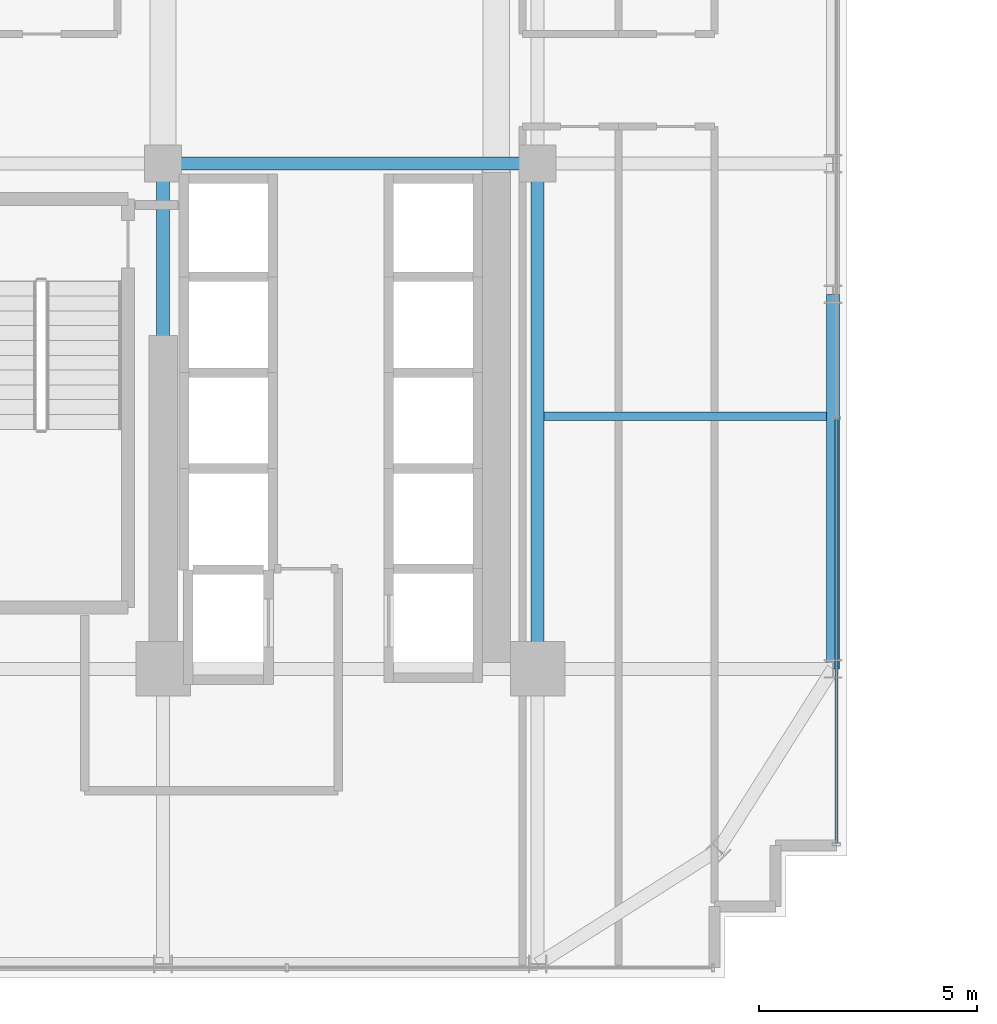
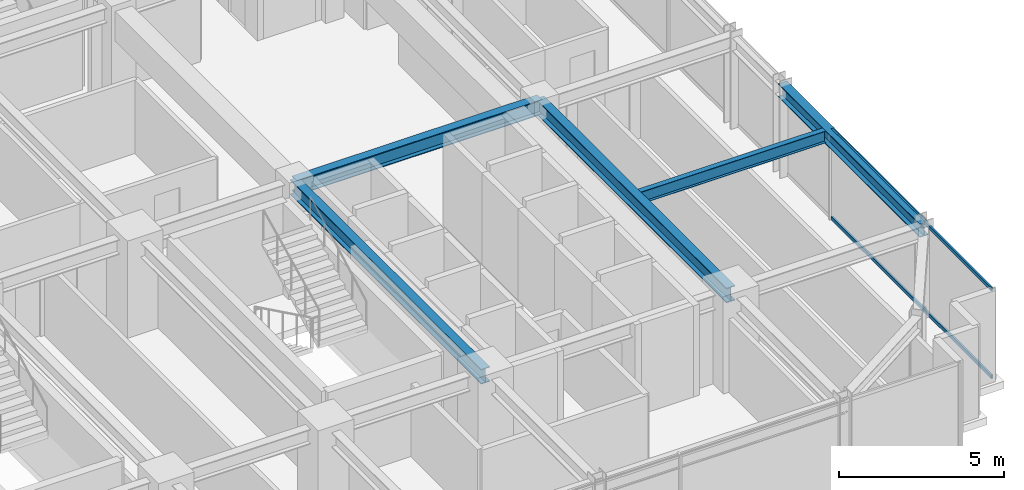
# One storey, part 13 of 33: 5 beams, 2 members, 1 element without a shape of its own.
"""IFC4 building model written with IfcOpenShell, lengths in metres."""

from ifc_helpers import new_model, si_unit, direction, frame, origin, origin_2d, place, context, subcontext, project, spatial, hollow_rectangle, i_section, extrude, source, transform, mapped, material, material_profile, profile_set, type_object, element, aggregate, save


model = new_model("IFC4")

# Units and contexts
model_context = context("Model", 3, precision=1e-05, world=origin(), true_north=direction((0.0, 1.0)))
body_context = subcontext(model_context, "Body", "Model", "MODEL_VIEW")
ifc_project = project(units=[si_unit("LENGTHUNIT", "METRE"), si_unit("AREAUNIT", "SQUARE_METRE"), si_unit("VOLUMEUNIT", "CUBIC_METRE"), si_unit("PLANEANGLEUNIT", "RADIAN"), si_unit("MASSUNIT", "GRAM", prefix="KILO")], contexts=[model_context])

# Site, building, storey
site_placement = place(None, origin())
site = spatial("IfcSite", under=ifc_project, at=site_placement, CompositionType="ELEMENT")
building_placement = place(site_placement, origin())
building = spatial("IfcBuilding", under=site, at=building_placement, Name="Nahalor Promenade Grand Hotel", CompositionType="ELEMENT")
storey_placement = place(building_placement, frame((0.0, 0.0, 132.10009765625)))
storey = spatial("IfcBuildingStorey", under=building, at=storey_placement, Name="L33", CompositionType="ELEMENT", Elevation=132.10009765625)

# Beams
ifc_material_1 = material(Name="Steel S355JR", Category="steel")
ifc_material_profile_1 = material_profile(ifc_material_1, i_section(OverallWidth=0.3, OverallDepth=0.5, WebThickness=0.0145, FlangeThickness=0.028, at=origin_2d()), Name="HEB 500")
ifc_profile_set_1 = profile_set([ifc_material_profile_1], Name="Steel S355JR")
beam_type_1 = type_object("IfcBeamType", Name="Beam-Spandrel-HEB500", PredefinedType="SPANDREL", material=ifc_profile_set_1)
shared_shape_1 = source(origin(), body_context, "Body", "SweptSolid", [
    extrude(i_section(OverallWidth=0.3, OverallDepth=0.5, WebThickness=0.0145, FlangeThickness=0.028, at=origin_2d()), origin(), (0.0, 0.0, 1.0), 8.60009765625),
])
beam_1_placement = place(storey_placement, frame((23.780029296875, -17.0, 3.1298828125), z_axis=(0.0, 1.0, 0.0), x_axis=(-1.0, 0.0, 0.0)))
element("IfcBeam", 1, at=beam_1_placement, inside=storey, type_object=beam_type_1, Name="BM-L33-SP-E-0", PredefinedType="SPANDREL", context=body_context, shape_type="MappedRepresentation", body=[
    mapped(shared_shape_1, transform((0.0, 0.0, 0.0), scale=1.0)),
])
ifc_material_profile_2 = material_profile(ifc_material_1, i_section(OverallWidth=0.3, OverallDepth=0.55, WebThickness=0.015, FlangeThickness=0.029, at=origin_2d()), Name="HEB 550")
ifc_profile_set_2 = profile_set([ifc_material_profile_2], Name="Steel S355JR")
beam_type_2 = type_object("IfcBeamType", Name="Beam-Girder-HEB550", PredefinedType="BEAM", material=ifc_profile_set_2)
shared_shape_2 = source(origin(), body_context, "Body", "SweptSolid", [
    extrude(i_section(OverallWidth=0.3, OverallDepth=0.55, WebThickness=0.015, FlangeThickness=0.029, at=origin_2d()), origin(), (0.0, 0.0, 1.0), 8.60009765625),
])
beam_2_placement = place(storey_placement, frame((8.39990234375, -5.39990234375, 3.10498046875), z_axis=(1.0, 0.0, 0.0), x_axis=(0.0, 1.0, 0.0)))
element("IfcBeam", 2, at=beam_2_placement, inside=storey, type_object=beam_type_2, Name="BM-L33-GX-1-5", PredefinedType="BEAM", context=body_context, shape_type="MappedRepresentation", body=[
    mapped(shared_shape_2, transform((0.0, 0.0, 0.0), scale=1.0)),
])
shared_shape_3 = source(origin(), body_context, "Body", "SweptSolid", [
    extrude(i_section(OverallWidth=0.3, OverallDepth=0.55, WebThickness=0.015, FlangeThickness=0.029, at=origin_2d()), origin(), (0.0, 0.0, 1.0), 11.60009765625),
])
for number, where, z_axis, x_axis, name in (
    (3, (8.39990234375, -17.0, 3.10498046875), (0.0, 1.0, 0.0), (-1.0, 0.0, 0.0), "BM-L33-GY-4-1"),
    (4, (17.0, -17.0, 3.10498046875), (0.0, 1.0, 0.0), (-1.0, 0.0, 0.0), "BM-L33-GY-5-1"),
):
    element("IfcBeam", number, at=place(storey_placement, frame(where, z_axis=z_axis, x_axis=x_axis)), inside=storey, type_object=beam_type_2, Name=name, PredefinedType="BEAM", context=body_context, shape_type="MappedRepresentation", body=[
        mapped(shared_shape_3, transform((0.0, 0.0, 0.0), scale=1.0)),
    ])
ifc_material_profile_3 = material_profile(ifc_material_1, i_section(OverallWidth=0.19, OverallDepth=0.45, WebThickness=0.0094, FlangeThickness=0.0146, at=origin_2d()), Name="IPE 450")
ifc_profile_set_3 = profile_set([ifc_material_profile_3], Name="Steel S355JR")
beam_type_3 = type_object("IfcBeamType", Name="Beam-Joist-IPE450", PredefinedType="JOIST", material=ifc_profile_set_3)
shared_shape_4 = source(origin(), body_context, "Body", "SweptSolid", [
    extrude(i_section(OverallWidth=0.19, OverallDepth=0.45, WebThickness=0.0094, FlangeThickness=0.0146, at=origin_2d()), origin(), (0.0, 0.0, 1.0), 6.47998046875),
])
beam_3_placement = place(storey_placement, frame((17.14990234375, -11.199951171875, 3.15478515625), z_axis=(1.0, 0.0, 0.0), x_axis=(0.0, 1.0, 0.0)))
element("IfcBeam", 5, at=beam_3_placement, inside=storey, type_object=beam_type_3, Name="BM-L33-JSE-0-2", PredefinedType="JOIST", context=body_context, shape_type="MappedRepresentation", body=[
    mapped(shared_shape_4, transform((0.0, 0.0, 0.0), scale=1.0)),
])

# Curtain wall, members
ifc_material_2 = material(Name="Anodised Bronze Aluminium EN AW-6063 T6", Category="aluminium")
curtain_wall_type = type_object("IfcCurtainWallType", Name="CW2 Typical Hotel Flush Bronze Unitised Curtain Wall", PredefinedType="USERDEFINED", material=ifc_material_2)
curtain_wall_placement = place(storey_placement, origin())
curtain_wall = element("IfcCurtainWall", 6, at=curtain_wall_placement, inside=storey, type_object=curtain_wall_type, Name="L33 Curtain Wall CW-L33-E-1", ObjectType="UNITISED_CURTAIN_WALL", PredefinedType="USERDEFINED")
ifc_material_profile_4 = material_profile(ifc_material_2, hollow_rectangle(XDim=0.065, YDim=0.13, WallThickness=0.004, at=origin_2d()), Name="CWT 65x130x4")
ifc_profile_set_4 = profile_set([ifc_material_profile_4], Name="Anodised Bronze Aluminium EN AW-6063 T6")
member_type = type_object("IfcMemberType", Name="CWT2 Typical Bronze Transom 65x130", PredefinedType="USERDEFINED", material=ifc_profile_set_4)
shared_shape_5 = source(origin(), body_context, "Body", "SweptSolid", [
    extrude(hollow_rectangle(XDim=0.065, YDim=0.13, WallThickness=0.004, at=origin_2d()), origin(), (0.0, 0.0, 1.0), 9.72265625),
])
member_1_placement = place(storey_placement, frame((23.860107421875, -20.9951171875, 0.06494140625), z_axis=(0.0, 1.0, 0.0), x_axis=(-1.0, 0.0, 0.0)))
member_1 = element("IfcMember", 7, at=member_1_placement, type_object=member_type, Name="CW-L33-E-1 Transom 0-0", ObjectType="TRANSOM", PredefinedType="USERDEFINED", context=body_context, shape_type="MappedRepresentation", body=[
    mapped(shared_shape_5, transform((0.0, 0.0, 0.0), scale=1.0)),
])
member_2_placement = place(storey_placement, frame((23.860107421875, -20.9951171875, 3.31494140625), z_axis=(0.0, 1.0, 0.0), x_axis=(-1.0, 0.0, 0.0)))
member_2 = element("IfcMember", 8, at=member_2_placement, type_object=member_type, Name="CW-L33-E-1 Transom 0-1", ObjectType="TRANSOM", PredefinedType="USERDEFINED", context=body_context, shape_type="MappedRepresentation", body=[
    mapped(shared_shape_5, transform((0.0, 0.0, 0.0), scale=1.0)),
])
aggregate(curtain_wall, [member_1, member_2])

save(model, "model.ifc")
